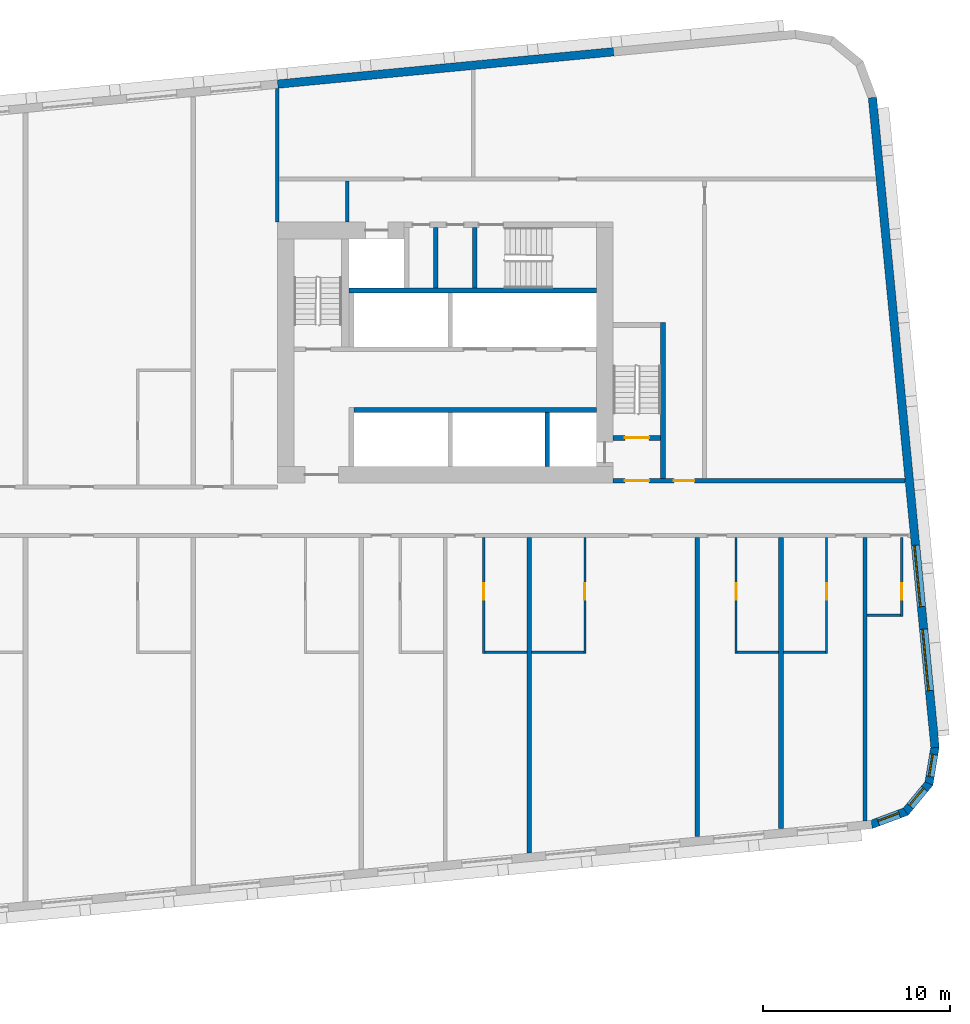
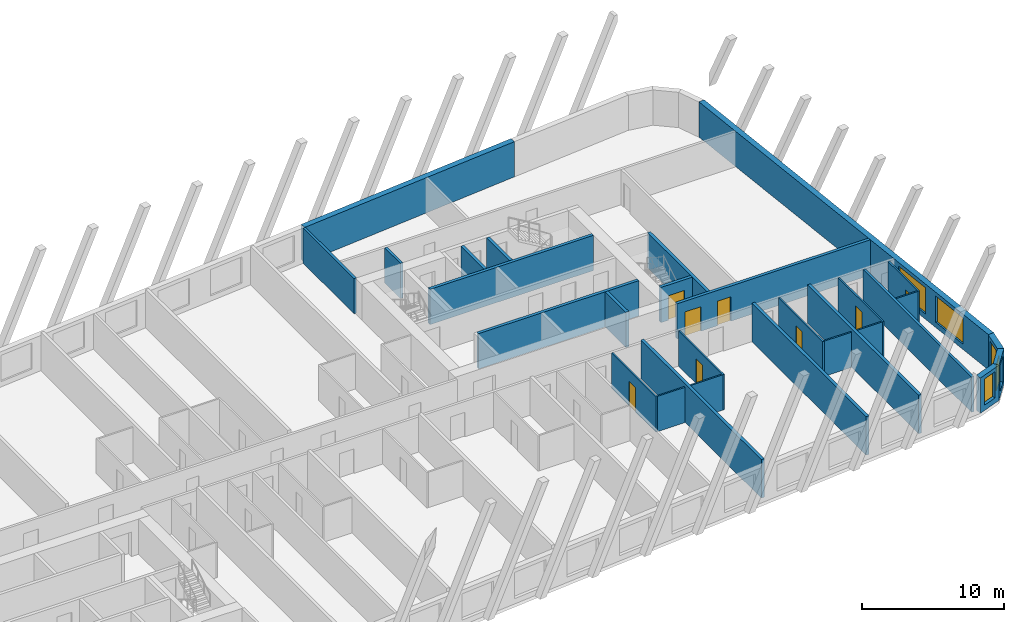
# One storey, part 7 of 13: 29 walls, 8 doors, 5 windows, 13 openings.
"""IFC4 building model written with IfcOpenShell, lengths in metres."""

from ifc_helpers import new_model, si_unit, direction, frame, frame_2d, origin, place, context, subcontext, project, spatial, polyline, rectangle, outline, extrude, material, layer, layer_set, type_object, element, fill, save


model = new_model("IFC4")

# Units and contexts
model_context = context("Model", 3, precision=1e-05, world=origin(), true_north=direction((0.0, 1.0)))
body_context = subcontext(model_context, "Body", "Model", "MODEL_VIEW")
ifc_project = project(units=[si_unit("LENGTHUNIT", "METRE"), si_unit("AREAUNIT", "SQUARE_METRE"), si_unit("VOLUMEUNIT", "CUBIC_METRE"), si_unit("PLANEANGLEUNIT", "RADIAN"), si_unit("MASSUNIT", "GRAM", prefix="KILO")], contexts=[model_context])

# Site, building, storey
site_placement = place(None, origin())
site = spatial("IfcSite", under=ifc_project, at=site_placement, CompositionType="ELEMENT")
building_placement = place(site_placement, origin())
building = spatial("IfcBuilding", under=site, at=building_placement, Name="Kajstack Hotel Tower", CompositionType="ELEMENT")
storey_placement = place(building_placement, frame((0.0, 0.0, 140.5)))
storey = spatial("IfcBuildingStorey", under=building, at=storey_placement, Name="L32", CompositionType="ELEMENT", Elevation=140.5)

# Walls
ifc_material_1 = material(Name="Twin-frame gypsum board on steel studs, mineral wool", Category="steel")
ifc_layer_1 = layer(ifc_material_1, 0.199951171875)
ifc_layer_set_1 = layer_set([ifc_layer_1], Name="Demising wall 200")
wall_type_1 = type_object("IfcWallType", Name="Demising wall 200", PredefinedType="PARTITIONING", material=ifc_layer_set_1)
wall_1_placement = place(storey_placement, frame((13.5, 15.5, 0.0), z_axis=(0.0, 0.0, 1.0), x_axis=(0.0, 1.0, 0.0)))
element("IfcWall", 1, at=wall_1_placement, inside=storey, type_object=wall_type_1, Name="G-wall-L32-001", PredefinedType="PARTITIONING", context=body_context, shape_type="SweptSolid", body=[
    extrude(rectangle(XDim=7.162109375, YDim=0.199951171875, at=frame_2d((3.5810546875, 0.0))), origin(), (0.0, 0.0, 1.0), 3.02001953125),
])
wall_2_placement = place(storey_placement, frame((45.0, -16.59912109375, 0.0), z_axis=(0.0, 0.0, 1.0), x_axis=(0.0, 1.0, 0.0)))
element("IfcWall", 2, at=wall_2_placement, inside=storey, type_object=wall_type_1, Name="G-wall-L32-042", PredefinedType="PARTITIONING", context=body_context, shape_type="SweptSolid", body=[
    extrude(rectangle(XDim=15.19921875, YDim=0.199951171875, at=frame_2d((7.599609375, 0.0))), origin(), (0.0, 0.0, 1.0), 3.02001953125),
])
ifc_material_2 = material(Name="Concrete C40/50", Category="concrete")
ifc_layer_2 = layer(ifc_material_2, 0.449951171875)
ifc_layer_set_2 = layer_set([ifc_layer_2], Name="EW-CORE")
wall_type_2 = type_object("IfcWallType", Name="EW-CORE", PredefinedType="SOLIDWALL", material=ifc_layer_set_2)
wall_3_placement = place(storey_placement, frame((31.521484375, 24.623291015625, 0.0), z_axis=(0.0, 0.0, 1.0), x_axis=(-0.995396454615, -0.095843091245, 0.0)))
element("IfcWall", 3, at=wall_3_placement, inside=storey, type_object=wall_type_2, Name="E-wall-L32-12-01", PredefinedType="SOLIDWALL", context=body_context, shape_type="SweptSolid", body=[
    extrude(rectangle(XDim=18.083251953125, YDim=0.449951171875, at=frame_2d((9.04150390625, 0.0))), origin(), (0.0, 0.0, 1.0), 3.02001953125),
])

# Wall, opening, window
ifc_material_3 = material(Name="Terracotta-faced brick masonry", Category="masonry")
ifc_layer_3 = layer(ifc_material_3, 0.449951171875)
ifc_layer_set_3 = layer_set([ifc_layer_3], Name="EW-TERRA")
wall_type_3 = type_object("IfcWallType", Name="EW-TERRA", PredefinedType="SOLIDWALL", material=ifc_layer_set_3)
wall_4_placement = place(storey_placement, frame((45.300048828125, -16.804443359375, 0.0), z_axis=(0.0, 0.0, 1.0), x_axis=(0.936677599948, 0.350192909346, 0.0)))
wall_4 = element("IfcWall", 4, at=wall_4_placement, inside=storey, type_object=wall_type_3, Name="E-wall-L32-05-00", PredefinedType="SOLIDWALL", context=body_context, shape_type="SweptSolid", body=[
    extrude(outline(polyline([(0.0, -0.224853515625), (2.070556640625, -0.224853515625), (1.949951171875, 0.22509765625), (0.12060546875, 0.22509765625), (0.0, -0.224853515625)])), origin(), (0.0, 0.0, 1.0), 3.02001953125),
])
opening_1_placement = place(wall_4_placement, frame((0.435302734375, 0.0, 0.449951171875)))
opening_1 = element("IfcOpeningElement", 5, at=opening_1_placement, cuts=wall_4, Name="Opening W3", PredefinedType="OPENING", context=body_context, shape_type="SweptSolid", body=[
    extrude(rectangle(XDim=1.199951171875, YDim=2.25, at=frame_2d((0.60009765625, 1.125))), frame((0.0, 0.23486328125, 0.0), z_axis=(0.0, -1.0, 0.0), x_axis=(1.0, 0.0, 0.0)), (0.0, 0.0, 1.0), 0.469970703125),
])
ifc_material_4 = material(Name="Timber-aluminium window, triple glazed", Category="wood")
window_type_1 = type_object("IfcWindowType", Name="WG3", PartitioningType="SINGLE_PANEL", PredefinedType="WINDOW", material=ifc_material_4)
window_1_placement = place(opening_1_placement, origin())
window_1 = element("IfcWindow", 6, at=window_1_placement, inside=storey, type_object=window_type_1, Name="Window W3 L32-05", OverallHeight=2.25, OverallWidth=1.199951171875, PartitioningType="SINGLE_PANEL", PredefinedType="WINDOW", context=body_context, shape_type="SweptSolid", body=[
    extrude(rectangle(XDim=1.199951171875, YDim=2.25, at=frame_2d((0.60009765625, 1.125))), frame((0.0, 0.090087890625, 0.0), z_axis=(0.0, -1.0, 0.0), x_axis=(1.0, 0.0, 0.0)), (0.0, 0.0, 1.0), 0.06005859375),
])
fill(opening_1, window_1)

wall_5_placement = place(storey_placement, frame((47.144775390625, -16.14697265625, 0.0), z_axis=(0.0, 0.0, 1.0), x_axis=(0.635988241739, 0.771698747161, 0.0)))
wall_5 = element("IfcWall", 7, at=wall_5_placement, inside=storey, type_object=wall_type_3, Name="E-wall-L32-06-00", PredefinedType="SOLIDWALL", context=body_context, shape_type="SweptSolid", body=[
    extrude(outline(polyline([(0.0, -0.224853515625), (2.070556640625, -0.22509765625), (1.949951171875, 0.224853515625), (0.12060546875, 0.22509765625), (0.0, -0.224853515625)])), origin(), (0.0, 0.0, 1.0), 3.02001953125),
])
opening_2_placement = place(wall_5_placement, frame((0.435302734375, 0.0, 0.449951171875)))
opening_2 = element("IfcOpeningElement", 8, at=opening_2_placement, cuts=wall_5, Name="Opening W3", PredefinedType="OPENING", context=body_context, shape_type="SweptSolid", body=[
    extrude(rectangle(XDim=1.199951171875, YDim=2.25, at=frame_2d((0.60009765625, 1.125))), frame((0.0, 0.23486328125, 0.0), z_axis=(0.0, -1.0, 0.0), x_axis=(1.0, 0.0, 0.0)), (0.0, 0.0, 1.0), 0.469970703125),
])
window_2_placement = place(opening_2_placement, origin())
window_2 = element("IfcWindow", 9, at=window_2_placement, inside=storey, type_object=window_type_1, Name="Window W3 L32-06", OverallHeight=2.25, OverallWidth=1.199951171875, PartitioningType="SINGLE_PANEL", PredefinedType="WINDOW", context=body_context, shape_type="SweptSolid", body=[
    extrude(rectangle(XDim=1.199951171875, YDim=2.25, at=frame_2d((0.60009765625, 1.125))), frame((0.0, 0.090087890625, 0.0), z_axis=(0.0, -1.0, 0.0), x_axis=(1.0, 0.0, 0.0)), (0.0, 0.0, 1.0), 0.06005859375),
])
fill(opening_2, window_2)

wall_6_placement = place(storey_placement, frame((48.413330078125, -14.6552734375, 0.0), z_axis=(0.0, 0.0, 1.0), x_axis=(0.165068144653, 0.986282164302, 0.0)))
wall_6 = element("IfcWall", 10, at=wall_6_placement, inside=storey, type_object=wall_type_3, Name="E-wall-L32-07-00", PredefinedType="SOLIDWALL", context=body_context, shape_type="SweptSolid", body=[
    extrude(outline(polyline([(0.0, -0.22509765625), (2.07080078125, -0.224853515625), (1.9501953125, 0.22509765625), (0.12060546875, 0.224853515625), (0.0, -0.22509765625)])), origin(), (0.0, 0.0, 1.0), 3.02001953125),
])
opening_3_placement = place(wall_6_placement, frame((0.435302734375, 0.0, 0.449951171875)))
opening_3 = element("IfcOpeningElement", 11, at=opening_3_placement, cuts=wall_6, Name="Opening W3", PredefinedType="OPENING", context=body_context, shape_type="SweptSolid", body=[
    extrude(rectangle(XDim=1.199951171875, YDim=2.25, at=frame_2d((0.60009765625, 1.125))), frame((0.0, 0.23486328125, 0.0), z_axis=(0.0, -1.0, 0.0), x_axis=(1.0, 0.0, 0.0)), (0.0, 0.0, 1.0), 0.469970703125),
])
window_3_placement = place(opening_3_placement, origin())
window_3 = element("IfcWindow", 12, at=window_3_placement, inside=storey, type_object=window_type_1, Name="Window W3 L32-07", OverallHeight=2.25, OverallWidth=1.199951171875, PartitioningType="SINGLE_PANEL", PredefinedType="WINDOW", context=body_context, shape_type="SweptSolid", body=[
    extrude(rectangle(XDim=1.199951171875, YDim=2.25, at=frame_2d((0.60009765625, 1.125))), frame((0.0, 0.090087890625, 0.0), z_axis=(0.0, -1.0, 0.0), x_axis=(1.0, 0.0, 0.0)), (0.0, 0.0, 1.0), 0.06005859375),
])
fill(opening_3, window_3)

# Wall, openings, windows
wall_7_placement = place(storey_placement, frame((48.7529296875, -12.671630859375, 0.0), z_axis=(0.0, 0.0, 1.0), x_axis=(-0.095842661909, 0.995396495954, 0.0)))
wall_7 = element("IfcWall", 13, at=wall_7_placement, inside=storey, type_object=wall_type_3, Name="E-wall-L32-08-00", PredefinedType="SOLIDWALL", context=body_context, shape_type="SweptSolid", body=[
    extrude(rectangle(XDim=35.0, YDim=0.449951171875, at=frame_2d((17.5, 0.0))), origin(), (0.0, 0.0, 1.0), 3.02001953125),
])
opening_4_placement = place(wall_7_placement, frame((3.07177734375, 0.0, 0.449951171875)))
opening_4 = element("IfcOpeningElement", 14, at=opening_4_placement, cuts=wall_7, Name="Opening W2", PredefinedType="OPENING", context=body_context, shape_type="SweptSolid", body=[
    extrude(rectangle(XDim=3.300048828125, YDim=2.25, at=frame_2d((1.64990234375, 1.125))), frame((0.0, 0.23486328125, 0.0), z_axis=(0.0, -1.0, 0.0), x_axis=(1.0, 0.0, 0.0)), (0.0, 0.0, 1.0), 0.469970703125),
])
opening_5_placement = place(wall_7_placement, frame((7.592529296875, 0.0, 0.449951171875)))
opening_5 = element("IfcOpeningElement", 15, at=opening_5_placement, cuts=wall_7, Name="Opening W2", PredefinedType="OPENING", context=body_context, shape_type="SweptSolid", body=[
    extrude(rectangle(XDim=3.300048828125, YDim=2.25, at=frame_2d((1.64990234375, 1.125))), frame((0.0, 0.23486328125, 0.0), z_axis=(0.0, -1.0, 0.0), x_axis=(1.0, 0.0, 0.0)), (0.0, 0.0, 1.0), 0.469970703125),
])
window_type_2 = type_object("IfcWindowType", Name="WG2", PartitioningType="SINGLE_PANEL", PredefinedType="WINDOW", material=ifc_material_4)
window_4_placement = place(opening_4_placement, origin())
window_4 = element("IfcWindow", 16, at=window_4_placement, inside=storey, type_object=window_type_2, Name="Window W2 L32-08", OverallHeight=2.25, OverallWidth=3.300048828125, PartitioningType="SINGLE_PANEL", PredefinedType="WINDOW", context=body_context, shape_type="SweptSolid", body=[
    extrude(rectangle(XDim=3.300048828125, YDim=2.25, at=frame_2d((1.64990234375, 1.125))), frame((0.0, 0.090087890625, 0.0), z_axis=(0.0, -1.0, 0.0), x_axis=(1.0, 0.0, 0.0)), (0.0, 0.0, 1.0), 0.06005859375),
])
fill(opening_4, window_4)
window_5_placement = place(opening_5_placement, origin())
window_5 = element("IfcWindow", 17, at=window_5_placement, inside=storey, type_object=window_type_2, Name="Window W2 L32-08", OverallHeight=2.25, OverallWidth=3.300048828125, PartitioningType="SINGLE_PANEL", PredefinedType="WINDOW", context=body_context, shape_type="SweptSolid", body=[
    extrude(rectangle(XDim=3.300048828125, YDim=2.25, at=frame_2d((1.64990234375, 1.125))), frame((0.0, 0.090087890625, 0.0), z_axis=(0.0, -1.0, 0.0), x_axis=(1.0, 0.0, 0.0)), (0.0, 0.0, 1.0), 0.06005859375),
])
fill(opening_5, window_5)

# Wall, opening, door
ifc_material_5 = material(Name="Gypsum board and tiled backer on steel studs", Category="steel")
ifc_layer_4 = layer(ifc_material_5, 0.125)
ifc_layer_set_4 = layer_set([ifc_layer_4], Name="En-suite wall 125")
wall_type_4 = type_object("IfcWallType", Name="En-suite wall 125", PredefinedType="PARTITIONING", material=ifc_layer_set_4)
wall_8_placement = place(storey_placement, frame((24.56201171875, -7.625, 0.0), z_axis=(0.0, 0.0, 1.0), x_axis=(0.0, 1.0, 0.0)))
wall_8 = element("IfcWall", 18, at=wall_8_placement, inside=storey, type_object=wall_type_4, Name="G-wall-L32-036", PredefinedType="PARTITIONING", context=body_context, shape_type="SweptSolid", body=[
    extrude(rectangle(XDim=6.22509765625, YDim=0.125, at=frame_2d((3.112548828125, 0.0))), origin(), (0.0, 0.0, 1.0), 3.02001953125),
])
opening_6_placement = place(wall_8_placement, frame((2.875, 0.0, 0.0)))
opening_6 = element("IfcOpeningElement", 19, at=opening_6_placement, cuts=wall_8, Name="Opening 32030", PredefinedType="OPENING", context=body_context, shape_type="SweptSolid", body=[
    extrude(rectangle(XDim=0.89990234375, YDim=2.10009765625, at=frame_2d((0.449951171875, 1.050048828125))), frame((0.0, 0.072509765625, 0.0), z_axis=(0.0, -1.0, 0.0), x_axis=(1.0, 0.0, 0.0)), (0.0, 0.0, 1.0), 0.14501953125),
])
ifc_material_6 = material(Name="Painted timber door leaf", Category="wood")
door_type_1 = type_object("IfcDoorType", Name="Room door 900", OperationType="SINGLE_SWING_LEFT", PredefinedType="DOOR", material=ifc_material_6)
door_1_placement = place(opening_6_placement, origin())
door_1 = element("IfcDoor", 20, at=door_1_placement, inside=storey, type_object=door_type_1, Name="G-door-L32-30", OperationType="SINGLE_SWING_RIGHT", OverallHeight=2.10009765625, OverallWidth=0.89990234375, PredefinedType="DOOR", context=body_context, shape_type="SweptSolid", body=[
    extrude(rectangle(XDim=0.89990234375, YDim=2.10009765625, at=frame_2d((0.449951171875, 1.050048828125))), frame((0.0, 0.02490234375, 0.0), z_axis=(0.0, -1.0, 0.0), x_axis=(1.0, 0.0, 0.0)), (0.0, 0.0, 1.0), 0.050048828125),
])
fill(opening_6, door_1)

# Wall
wall_9_placement = place(storey_placement, frame((24.625, -7.56201171875, 0.0), z_axis=(0.0, 0.0, 1.0), x_axis=(1.0, 0.0, 0.0)))
element("IfcWall", 21, at=wall_9_placement, inside=storey, type_object=wall_type_4, Name="G-wall-L32-037", PredefinedType="PARTITIONING", context=body_context, shape_type="SweptSolid", body=[
    extrude(rectangle(XDim=2.25, YDim=0.125, at=frame_2d((1.125, 0.0))), origin(), (0.0, 0.0, 1.0), 3.02001953125),
])

# Wall, opening, door
wall_10_placement = place(storey_placement, frame((29.988037109375, -7.625, 0.0), z_axis=(0.0, 0.0, 1.0), x_axis=(0.0, 1.0, 0.0)))
wall_10 = element("IfcWall", 22, at=wall_10_placement, inside=storey, type_object=wall_type_4, Name="G-wall-L32-038", PredefinedType="PARTITIONING", context=body_context, shape_type="SweptSolid", body=[
    extrude(rectangle(XDim=6.22509765625, YDim=0.125, at=frame_2d((3.112548828125, 0.0))), origin(), (0.0, 0.0, 1.0), 3.02001953125),
])
opening_7_placement = place(wall_10_placement, frame((2.875, 0.0, 0.0)))
opening_7 = element("IfcOpeningElement", 23, at=opening_7_placement, cuts=wall_10, Name="Opening 32032", PredefinedType="OPENING", context=body_context, shape_type="SweptSolid", body=[
    extrude(rectangle(XDim=0.89990234375, YDim=2.10009765625, at=frame_2d((0.449951171875, 1.050048828125))), frame((0.0, 0.072509765625, 0.0), z_axis=(0.0, -1.0, 0.0), x_axis=(1.0, 0.0, 0.0)), (0.0, 0.0, 1.0), 0.14501953125),
])
door_2_placement = place(opening_7_placement, origin())
door_2 = element("IfcDoor", 24, at=door_2_placement, inside=storey, type_object=door_type_1, Name="G-door-L32-32", OperationType="SINGLE_SWING_RIGHT", OverallHeight=2.10009765625, OverallWidth=0.89990234375, PredefinedType="DOOR", context=body_context, shape_type="SweptSolid", body=[
    extrude(rectangle(XDim=0.89990234375, YDim=2.10009765625, at=frame_2d((0.449951171875, 1.050048828125))), frame((0.0, 0.02490234375, 0.0), z_axis=(0.0, -1.0, 0.0), x_axis=(1.0, 0.0, 0.0)), (0.0, 0.0, 1.0), 0.050048828125),
])
fill(opening_7, door_2)

# Wall
wall_11_placement = place(storey_placement, frame((27.125, -7.56201171875, 0.0), z_axis=(0.0, 0.0, 1.0), x_axis=(1.0, 0.0, 0.0)))
element("IfcWall", 25, at=wall_11_placement, inside=storey, type_object=wall_type_4, Name="G-wall-L32-039", PredefinedType="PARTITIONING", context=body_context, shape_type="SweptSolid", body=[
    extrude(rectangle(XDim=2.800048828125, YDim=0.125, at=frame_2d((1.39990234375, 0.0))), origin(), (0.0, 0.0, 1.0), 3.02001953125),
])

# Wall, opening, door
wall_12_placement = place(storey_placement, frame((38.0869140625, -7.625, 0.0), z_axis=(0.0, 0.0, 1.0), x_axis=(0.0, 1.0, 0.0)))
wall_12 = element("IfcWall", 26, at=wall_12_placement, inside=storey, type_object=wall_type_4, Name="G-wall-L32-040", PredefinedType="PARTITIONING", context=body_context, shape_type="SweptSolid", body=[
    extrude(rectangle(XDim=6.22509765625, YDim=0.125, at=frame_2d((3.112548828125, 0.0))), origin(), (0.0, 0.0, 1.0), 3.02001953125),
])
opening_8_placement = place(wall_12_placement, frame((2.875, 0.0, 0.0)))
opening_8 = element("IfcOpeningElement", 27, at=opening_8_placement, cuts=wall_12, Name="Opening 32034", PredefinedType="OPENING", context=body_context, shape_type="SweptSolid", body=[
    extrude(rectangle(XDim=0.89990234375, YDim=2.10009765625, at=frame_2d((0.449951171875, 1.050048828125))), frame((0.0, 0.072509765625, 0.0), z_axis=(0.0, -1.0, 0.0), x_axis=(1.0, 0.0, 0.0)), (0.0, 0.0, 1.0), 0.14501953125),
])
door_3_placement = place(opening_8_placement, origin())
door_3 = element("IfcDoor", 28, at=door_3_placement, inside=storey, type_object=door_type_1, Name="G-door-L32-34", OperationType="SINGLE_SWING_RIGHT", OverallHeight=2.10009765625, OverallWidth=0.89990234375, PredefinedType="DOOR", context=body_context, shape_type="SweptSolid", body=[
    extrude(rectangle(XDim=0.89990234375, YDim=2.10009765625, at=frame_2d((0.449951171875, 1.050048828125))), frame((0.0, 0.02490234375, 0.0), z_axis=(0.0, -1.0, 0.0), x_axis=(1.0, 0.0, 0.0)), (0.0, 0.0, 1.0), 0.050048828125),
])
fill(opening_8, door_3)

# Wall
wall_13_placement = place(storey_placement, frame((38.14990234375, -7.56201171875, 0.0), z_axis=(0.0, 0.0, 1.0), x_axis=(1.0, 0.0, 0.0)))
element("IfcWall", 29, at=wall_13_placement, inside=storey, type_object=wall_type_4, Name="G-wall-L32-041", PredefinedType="PARTITIONING", context=body_context, shape_type="SweptSolid", body=[
    extrude(rectangle(XDim=2.22509765625, YDim=0.125, at=frame_2d((1.112548828125, 0.0))), origin(), (0.0, 0.0, 1.0), 3.02001953125),
])

# Wall, opening, door
wall_14_placement = place(storey_placement, frame((42.93798828125, -7.625, 0.0), z_axis=(0.0, 0.0, 1.0), x_axis=(0.0, 1.0, 0.0)))
wall_14 = element("IfcWall", 30, at=wall_14_placement, inside=storey, type_object=wall_type_4, Name="G-wall-L32-043", PredefinedType="PARTITIONING", context=body_context, shape_type="SweptSolid", body=[
    extrude(rectangle(XDim=6.22509765625, YDim=0.125, at=frame_2d((3.112548828125, 0.0))), origin(), (0.0, 0.0, 1.0), 3.02001953125),
])
opening_9_placement = place(wall_14_placement, frame((2.875, 0.0, 0.0)))
opening_9 = element("IfcOpeningElement", 31, at=opening_9_placement, cuts=wall_14, Name="Opening 32036", PredefinedType="OPENING", context=body_context, shape_type="SweptSolid", body=[
    extrude(rectangle(XDim=0.89990234375, YDim=2.10009765625, at=frame_2d((0.449951171875, 1.050048828125))), frame((0.0, 0.072509765625, 0.0), z_axis=(0.0, -1.0, 0.0), x_axis=(1.0, 0.0, 0.0)), (0.0, 0.0, 1.0), 0.14501953125),
])
door_4_placement = place(opening_9_placement, origin())
door_4 = element("IfcDoor", 32, at=door_4_placement, inside=storey, type_object=door_type_1, Name="G-door-L32-36", OperationType="SINGLE_SWING_LEFT", OverallHeight=2.10009765625, OverallWidth=0.89990234375, PredefinedType="DOOR", context=body_context, shape_type="SweptSolid", body=[
    extrude(rectangle(XDim=0.89990234375, YDim=2.10009765625, at=frame_2d((0.449951171875, 1.050048828125))), frame((0.0, 0.02490234375, 0.0), z_axis=(0.0, -1.0, 0.0), x_axis=(1.0, 0.0, 0.0)), (0.0, 0.0, 1.0), 0.050048828125),
])
fill(opening_9, door_4)

# Wall
wall_15_placement = place(storey_placement, frame((40.625, -7.56201171875, 0.0), z_axis=(0.0, 0.0, 1.0), x_axis=(1.0, 0.0, 0.0)))
element("IfcWall", 33, at=wall_15_placement, inside=storey, type_object=wall_type_4, Name="G-wall-L32-044", PredefinedType="PARTITIONING", context=body_context, shape_type="SweptSolid", body=[
    extrude(rectangle(XDim=2.25, YDim=0.125, at=frame_2d((1.125, 0.0))), origin(), (0.0, 0.0, 1.0), 3.02001953125),
])

# Wall, opening, door
wall_16_placement = place(storey_placement, frame((46.9619140625, -5.634033203125, 0.0), z_axis=(0.0, 0.0, 1.0), x_axis=(0.0, 1.0, 0.0)))
wall_16 = element("IfcWall", 34, at=wall_16_placement, inside=storey, type_object=wall_type_4, Name="G-wall-L32-045", PredefinedType="PARTITIONING", context=body_context, shape_type="SweptSolid", body=[
    extrude(rectangle(XDim=4.234130859375, YDim=0.125, at=frame_2d((2.1171875, 0.0))), origin(), (0.0, 0.0, 1.0), 3.02001953125),
])
opening_10_placement = place(wall_16_placement, frame((0.884033203125, 0.0, 0.0)))
opening_10 = element("IfcOpeningElement", 35, at=opening_10_placement, cuts=wall_16, Name="Opening 32038", PredefinedType="OPENING", context=body_context, shape_type="SweptSolid", body=[
    extrude(rectangle(XDim=0.89990234375, YDim=2.10009765625, at=frame_2d((0.449951171875, 1.050048828125))), frame((0.0, 0.072509765625, 0.0), z_axis=(0.0, -1.0, 0.0), x_axis=(1.0, 0.0, 0.0)), (0.0, 0.0, 1.0), 0.14501953125),
])
door_5_placement = place(opening_10_placement, origin())
door_5 = element("IfcDoor", 36, at=door_5_placement, inside=storey, type_object=door_type_1, Name="G-door-L32-38", OperationType="SINGLE_SWING_LEFT", OverallHeight=2.10009765625, OverallWidth=0.89990234375, PredefinedType="DOOR", context=body_context, shape_type="SweptSolid", body=[
    extrude(rectangle(XDim=0.89990234375, YDim=2.10009765625, at=frame_2d((0.449951171875, 1.050048828125))), frame((0.0, 0.02490234375, 0.0), z_axis=(0.0, -1.0, 0.0), x_axis=(1.0, 0.0, 0.0)), (0.0, 0.0, 1.0), 0.050048828125),
])
fill(opening_10, door_5)

# Walls
wall_17_placement = place(storey_placement, frame((45.10009765625, -5.572021484375, 0.0), z_axis=(0.0, 0.0, 1.0), x_axis=(1.0, 0.0, 0.0)))
element("IfcWall", 37, at=wall_17_placement, inside=storey, type_object=wall_type_4, Name="G-wall-L32-046", PredefinedType="PARTITIONING", context=body_context, shape_type="SweptSolid", body=[
    extrude(rectangle(XDim=1.7998046875, YDim=0.125, at=frame_2d((0.89990234375, 0.0))), origin(), (0.0, 0.0, 1.0), 3.02001953125),
])
ifc_material_7 = material(Name="Concrete C55/67", Category="concrete")
ifc_layer_5 = layer(ifc_material_7, 0.25)
ifc_layer_set_5 = layer_set([ifc_layer_5], Name="RC cross wall 250 C55/67")
wall_type_5 = type_object("IfcWallType", Name="RC cross wall 250 C55/67", PredefinedType="SHEAR", material=ifc_layer_set_5)
wall_18_placement = place(storey_placement, frame((27.0, -18.310546875, 0.0), z_axis=(0.0, 0.0, 1.0), x_axis=(0.0, 1.0, 0.0)))
element("IfcWall", 38, at=wall_18_placement, inside=storey, type_object=wall_type_5, Name="S-wall-L32-11", PredefinedType="SHEAR", context=body_context, shape_type="SweptSolid", body=[
    extrude(rectangle(XDim=16.91064453125, YDim=0.25, at=frame_2d((8.455322265625, 0.0))), origin(), (0.0, 0.0, 1.0), 3.300048828125),
])
wall_19_placement = place(storey_placement, frame((36.0, -17.444091796875, 0.0), z_axis=(0.0, 0.0, 1.0), x_axis=(0.0, 1.0, 0.0)))
element("IfcWall", 39, at=wall_19_placement, inside=storey, type_object=wall_type_5, Name="S-wall-L32-12", PredefinedType="SHEAR", context=body_context, shape_type="SweptSolid", body=[
    extrude(rectangle(XDim=16.044189453125, YDim=0.25, at=frame_2d((8.02197265625, 0.0))), origin(), (0.0, 0.0, 1.0), 3.300048828125),
])
wall_20_placement = place(storey_placement, frame((40.5, -17.0107421875, 0.0), z_axis=(0.0, 0.0, 1.0), x_axis=(0.0, 1.0, 0.0)))
element("IfcWall", 40, at=wall_20_placement, inside=storey, type_object=wall_type_5, Name="S-wall-L32-13", PredefinedType="SHEAR", context=body_context, shape_type="SweptSolid", body=[
    extrude(rectangle(XDim=15.61083984375, YDim=0.25, at=frame_2d((7.805419921875, 0.0))), origin(), (0.0, 0.0, 1.0), 3.300048828125),
])
ifc_material_8 = material(Name="Concrete block masonry", Category="masonry")
ifc_layer_6 = layer(ifc_material_8, 0.25)
ifc_layer_set_6 = layer_set([ifc_layer_6], Name="Riser partition 250")
wall_type_6 = type_object("IfcWallType", Name="Riser partition 250", PredefinedType="PARTITIONING", material=ifc_layer_set_6)
wall_21_placement = place(storey_placement, frame((22.0, 11.949951171875, 0.0), z_axis=(0.0, 0.0, 1.0), x_axis=(0.0, 1.0, 0.0)))
element("IfcWall", 41, at=wall_21_placement, inside=storey, type_object=wall_type_6, Name="Partition E SZ0", PredefinedType="PARTITIONING", context=body_context, shape_type="SweptSolid", body=[
    extrude(rectangle(XDim=3.25, YDim=0.25, at=frame_2d((1.625, 0.0))), origin(), (0.0, 0.0, 1.0), 3.02001953125),
])

# Wall, openings, doors
ifc_material_9 = material(Name="Gypsum board on steel studs, mineral wool", Category="steel")
ifc_layer_7 = layer(ifc_material_9, 0.199951171875)
ifc_layer_set_7 = layer_set([ifc_layer_7], Name="Service partition 200")
wall_type_7 = type_object("IfcWallType", Name="Service partition 200", PredefinedType="PARTITIONING", material=ifc_layer_set_7)
wall_22_placement = place(storey_placement, frame((31.5, 1.625, 0.0), z_axis=(0.0, 0.0, 1.0), x_axis=(1.0, 0.0, 0.0)))
wall_22 = element("IfcWall", 42, at=wall_22_placement, inside=storey, type_object=wall_type_7, Name="Partition E SN", PredefinedType="PARTITIONING", context=body_context, shape_type="SweptSolid", body=[
    extrude(rectangle(XDim=15.650390625, YDim=0.25, at=frame_2d((7.8251953125, 0.0))), origin(), (0.0, 0.0, 1.0), 3.02001953125),
])
opening_11_placement = place(wall_22_placement, frame((0.625, 0.0, 0.0)))
opening_11 = element("IfcOpeningElement", 43, at=opening_11_placement, cuts=wall_22, Name="Opening 32E07", PredefinedType="OPENING", context=body_context, shape_type="SweptSolid", body=[
    extrude(rectangle(XDim=1.300048828125, YDim=2.10009765625, at=frame_2d((0.64990234375, 1.050048828125))), frame((0.0, 0.135009765625, 0.0), z_axis=(0.0, -1.0, 0.0), x_axis=(1.0, 0.0, 0.0)), (0.0, 0.0, 1.0), 0.27001953125),
])
opening_12_placement = place(wall_22_placement, frame((3.25, 0.0, 0.0)))
opening_12 = element("IfcOpeningElement", 44, at=opening_12_placement, cuts=wall_22, Name="Opening 32E09", PredefinedType="OPENING", context=body_context, shape_type="SweptSolid", body=[
    extrude(rectangle(XDim=1.10009765625, YDim=2.10009765625, at=frame_2d((0.550048828125, 1.050048828125))), frame((0.0, 0.135009765625, 0.0), z_axis=(0.0, -1.0, 0.0), x_axis=(1.0, 0.0, 0.0)), (0.0, 0.0, 1.0), 0.27001953125),
])
ifc_material_10 = material(Name="Steel leaf, fire-rated", Category="steel")
door_type_2 = type_object("IfcDoorType", Name="Fire lobby door 1300", OperationType="SINGLE_SWING_LEFT", PredefinedType="DOOR", material=ifc_material_10)
door_6_placement = place(opening_11_placement, origin())
door_6 = element("IfcDoor", 45, at=door_6_placement, inside=storey, type_object=door_type_2, Name="Door 32E07", OperationType="SINGLE_SWING_LEFT", OverallHeight=2.10009765625, OverallWidth=1.300048828125, PredefinedType="DOOR", context=body_context, shape_type="SweptSolid", body=[
    extrude(rectangle(XDim=1.300048828125, YDim=2.10009765625, at=frame_2d((0.64990234375, 1.050048828125))), frame((0.0, 0.02490234375, 0.0), z_axis=(0.0, -1.0, 0.0), x_axis=(1.0, 0.0, 0.0)), (0.0, 0.0, 1.0), 0.050048828125),
])
fill(opening_11, door_6)
ifc_material_11 = material(Name="Timber leaf, fire-rated", Category="wood")
door_type_3 = type_object("IfcDoorType", Name="Service corridor door 1100", OperationType="SINGLE_SWING_LEFT", PredefinedType="DOOR", material=ifc_material_11)
door_7_placement = place(opening_12_placement, origin())
door_7 = element("IfcDoor", 46, at=door_7_placement, inside=storey, type_object=door_type_3, Name="Door 32E09", OperationType="SINGLE_SWING_LEFT", OverallHeight=2.10009765625, OverallWidth=1.10009765625, PredefinedType="DOOR", context=body_context, shape_type="SweptSolid", body=[
    extrude(rectangle(XDim=1.10009765625, YDim=2.10009765625, at=frame_2d((0.550048828125, 1.050048828125))), frame((0.0, 0.02490234375, 0.0), z_axis=(0.0, -1.0, 0.0), x_axis=(1.0, 0.0, 0.0)), (0.0, 0.0, 1.0), 0.050048828125),
])
fill(opening_12, door_7)

# Walls
wall_23_placement = place(storey_placement, frame((17.25, 15.5, 0.0), z_axis=(0.0, 0.0, 1.0), x_axis=(0.0, 1.0, 0.0)))
element("IfcWall", 47, at=wall_23_placement, inside=storey, type_object=wall_type_7, Name="Partition E SCE", PredefinedType="PARTITIONING", context=body_context, shape_type="SweptSolid", body=[
    extrude(rectangle(XDim=2.199951171875, YDim=0.199951171875, at=frame_2d((1.10009765625, 0.0))), origin(), (0.0, 0.0, 1.0), 3.02001953125),
])
ifc_material_12 = material(Name="Concrete C50/60", Category="concrete")
ifc_layer_8 = layer(ifc_material_12, 0.25)
ifc_layer_set_8 = layer_set([ifc_layer_8], Name="Shaft wall 250")
wall_type_8 = type_object("IfcWallType", Name="Shaft wall 250", PredefinedType="SHEAR", material=ifc_layer_set_8)
wall_24_placement = place(storey_placement, frame((17.60009765625, 5.425048828125, 0.0), z_axis=(0.0, 0.0, 1.0), x_axis=(1.0, 0.0, 0.0)))
element("IfcWall", 48, at=wall_24_placement, inside=storey, type_object=wall_type_8, Name="Core wall E FA", PredefinedType="SHEAR", context=body_context, shape_type="SweptSolid", body=[
    extrude(rectangle(XDim=13.0, YDim=0.25, at=frame_2d((6.5, 0.0))), origin(), (0.0, 0.0, 1.0), 3.02001953125),
])
wall_25_placement = place(storey_placement, frame((27.97509765625, 2.39990234375, 0.0), z_axis=(0.0, 0.0, 1.0), x_axis=(0.0, 1.0, 0.0)))
element("IfcWall", 49, at=wall_25_placement, inside=storey, type_object=wall_type_8, Name="Core wall E AP0", PredefinedType="SHEAR", context=body_context, shape_type="SweptSolid", body=[
    extrude(rectangle(XDim=2.900146484375, YDim=0.25, at=frame_2d((1.4501953125, 0.0))), origin(), (0.0, 0.0, 1.0), 3.02001953125),
])
wall_26_placement = place(storey_placement, frame((17.35009765625, 11.824951171875, 0.0), z_axis=(0.0, 0.0, 1.0), x_axis=(1.0, 0.0, 0.0)))
element("IfcWall", 50, at=wall_26_placement, inside=storey, type_object=wall_type_8, Name="Core wall E RB", PredefinedType="SHEAR", context=body_context, shape_type="SweptSolid", body=[
    extrude(rectangle(XDim=13.25, YDim=0.25, at=frame_2d((6.625, 0.0))), origin(), (0.0, 0.0, 1.0), 3.02001953125),
])

# Wall, opening, door
ifc_layer_9 = layer(ifc_material_2, 0.25)
ifc_layer_set_9 = layer_set([ifc_layer_9], Name="Stair enclosure wall 250")
wall_type_9 = type_object("IfcWallType", Name="Stair enclosure wall 250", PredefinedType="SHEAR", material=ifc_layer_set_9)
wall_27_placement = place(storey_placement, frame((31.5, 3.925048828125, 0.0), z_axis=(0.0, 0.0, 1.0), x_axis=(1.0, 0.0, 0.0)))
wall_27 = element("IfcWall", 51, at=wall_27_placement, inside=storey, type_object=wall_type_9, Name="Core wall E W1N", PredefinedType="SHEAR", context=body_context, shape_type="SweptSolid", body=[
    extrude(rectangle(XDim=2.550048828125, YDim=0.25, at=frame_2d((1.27490234375, 0.0))), origin(), (0.0, 0.0, 1.0), 3.02001953125),
])
opening_13_placement = place(wall_27_placement, frame((0.625, 0.0, 0.0)))
opening_13 = element("IfcOpeningElement", 52, at=opening_13_placement, cuts=wall_27, Name="Opening 32E08", PredefinedType="OPENING", context=body_context, shape_type="SweptSolid", body=[
    extrude(rectangle(XDim=1.300048828125, YDim=2.10009765625, at=frame_2d((0.64990234375, 1.050048828125))), frame((0.0, 0.135009765625, 0.0), z_axis=(0.0, -1.0, 0.0), x_axis=(1.0, 0.0, 0.0)), (0.0, 0.0, 1.0), 0.27001953125),
])
door_type_4 = type_object("IfcDoorType", Name="Stair door 1300", OperationType="SINGLE_SWING_LEFT", PredefinedType="DOOR", material=ifc_material_10)
door_8_placement = place(opening_13_placement, origin())
door_8 = element("IfcDoor", 53, at=door_8_placement, inside=storey, type_object=door_type_4, Name="Door 32E08", OperationType="SINGLE_SWING_LEFT", OverallHeight=2.10009765625, OverallWidth=1.300048828125, PredefinedType="DOOR", context=body_context, shape_type="SweptSolid", body=[
    extrude(rectangle(XDim=1.300048828125, YDim=2.10009765625, at=frame_2d((0.64990234375, 1.050048828125))), frame((0.0, 0.02490234375, 0.0), z_axis=(0.0, -1.0, 0.0), x_axis=(1.0, 0.0, 0.0)), (0.0, 0.0, 1.0), 0.050048828125),
])
fill(opening_13, door_8)

# Walls
wall_28_placement = place(storey_placement, frame((34.175048828125, 1.75, 0.0), z_axis=(0.0, 0.0, 1.0), x_axis=(0.0, 1.0, 0.0)))
element("IfcWall", 54, at=wall_28_placement, inside=storey, type_object=wall_type_9, Name="Core wall E W1W", PredefinedType="SHEAR", context=body_context, shape_type="SweptSolid", body=[
    extrude(rectangle(XDim=8.35009765625, YDim=0.25, at=frame_2d((4.175048828125, 0.0))), origin(), (0.0, 0.0, 1.0), 3.02001953125),
])
ifc_layer_10 = layer(ifc_material_12, 0.35009765625)
ifc_layer_set_10 = layer_set([ifc_layer_10], Name="Stair enclosure wall 350")
wall_type_10 = type_object("IfcWallType", Name="Stair enclosure wall 350", PredefinedType="SHEAR", material=ifc_layer_set_10)
wall_29_placement = place(storey_placement, frame((24.074951171875, 11.949951171875, 0.0), z_axis=(0.0, 0.0, 1.0), x_axis=(0.0, 1.0, 0.0)))
element("IfcWall", 55, at=wall_29_placement, inside=storey, type_object=wall_type_10, Name="Core wall E W3E", PredefinedType="SHEAR", context=body_context, shape_type="SweptSolid", body=[
    extrude(rectangle(XDim=3.25, YDim=0.25, at=frame_2d((1.625, 0.0))), origin(), (0.0, 0.0, 1.0), 3.02001953125),
])

save(model, "model.ifc")
